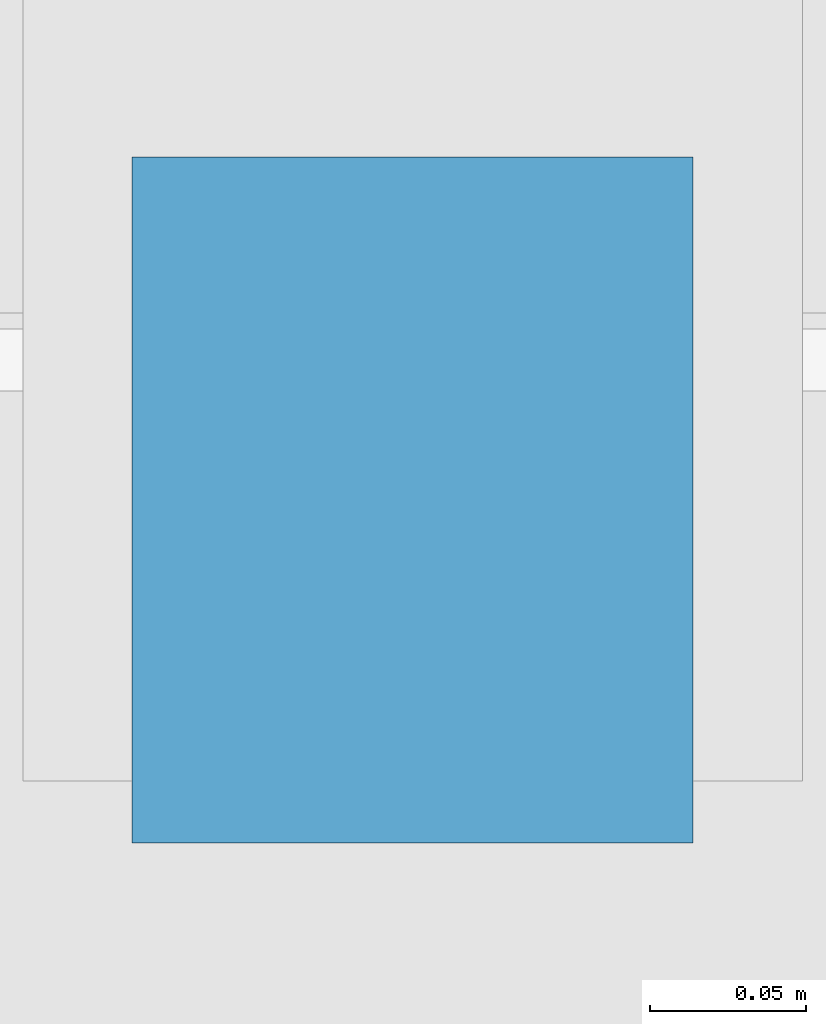
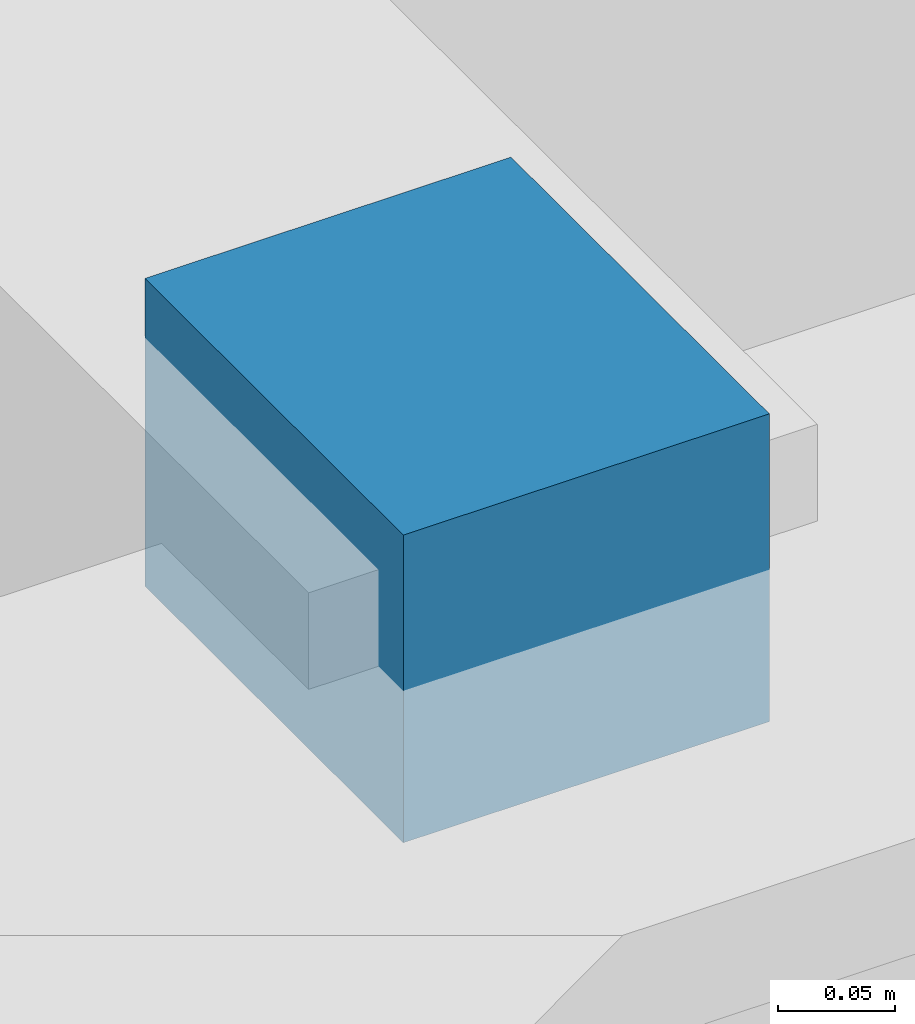
# One storey, part 139 of 157: 1 discrete accessory.
"""IFC4 building model written with IfcOpenShell, lengths in metres."""

from ifc_helpers import new_model, si_unit, direction, frame, origin, origin_2d, place, context, subcontext, project, spatial, rectangle, extrude, material, type_object, element, save


model = new_model("IFC4")

# Units and contexts
model_context = context("Model", 3, precision=1e-05, world=origin(), true_north=direction((0.0, 1.0)))
body_context = subcontext(model_context, "Body", "Model", "MODEL_VIEW")
ifc_project = project(units=[si_unit("LENGTHUNIT", "METRE"), si_unit("AREAUNIT", "SQUARE_METRE"), si_unit("VOLUMEUNIT", "CUBIC_METRE"), si_unit("PLANEANGLEUNIT", "RADIAN"), si_unit("MASSUNIT", "GRAM", prefix="KILO")], contexts=[model_context])

# Site, building, storey
site_placement = place(None, origin())
site = spatial("IfcSite", under=ifc_project, at=site_placement, CompositionType="ELEMENT")
building_placement = place(site_placement, origin())
building = spatial("IfcBuilding", under=site, at=building_placement, Name="Suanplinth Sawtooth Commons", CompositionType="ELEMENT")
storey_placement = place(building_placement, frame((0.0, 0.0, 9.0)))
storey = spatial("IfcBuildingStorey", under=building, at=storey_placement, Name="L02", CompositionType="ELEMENT", Elevation=9.0)

# Discrete accessory
ifc_material = material(Name="Stainless steel Grade 316", Category="steel")
discrete_accessory_type = type_object("IfcDiscreteAccessoryType", Name="ACC-01", PredefinedType="BRACKET", material=ifc_material)
discrete_accessory_placement = place(storey_placement, frame((28.800048828125, -1.699951171875, 2.89990234375), z_axis=(0.0, 0.0, 1.0), x_axis=(1.0, 0.0, 0.0)))
element("IfcDiscreteAccessory", 1, at=discrete_accessory_placement, inside=storey, type_object=discrete_accessory_type, Name="Louvre Fixing Bracket L02-D-1", PredefinedType="BRACKET", context=body_context, shape_type="SweptSolid", body=[
    extrude(rectangle(XDim=0.179931640625, YDim=0.219970703125, at=origin_2d()), origin(), (0.0, 0.0, 1.0), 0.159912109375),
])

save(model, "model.ifc")
